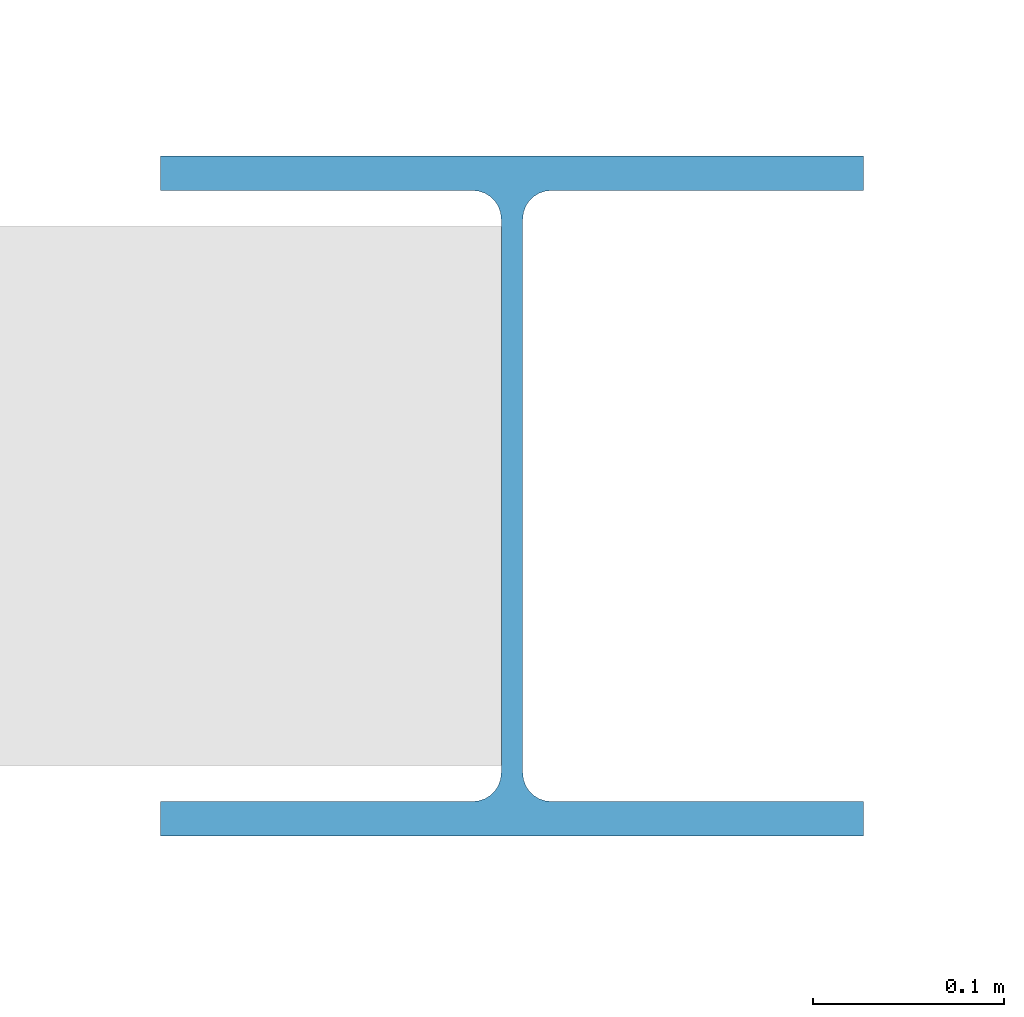
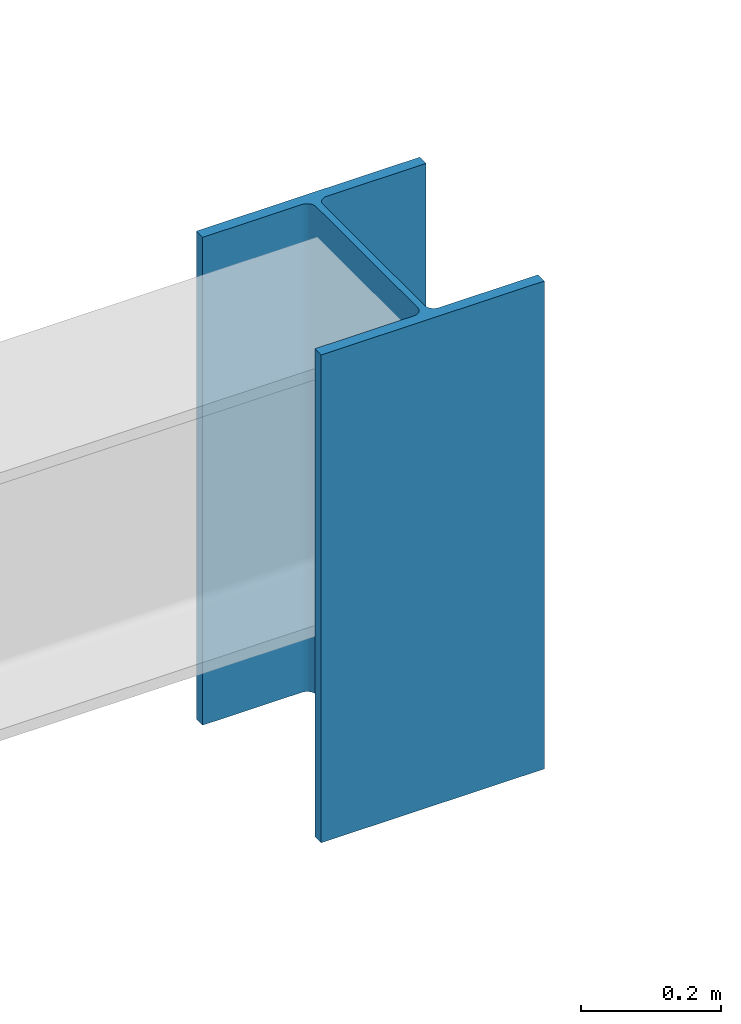
# One storey, part 8 of 30: 1 column.
"""IFC4 building model written with IfcOpenShell, lengths in metres."""

from ifc_helpers import new_model, si_unit, direction, frame, origin, origin_2d, place, context, subcontext, project, spatial, i_section, extrude, material, material_profile, profile_set, type_object, element, save


model = new_model("IFC4")

# Units and contexts
model_context = context("Model", 3, precision=1e-05, world=origin(), true_north=direction((0.0, 1.0)))
body_context = subcontext(model_context, "Body", "Model", "MODEL_VIEW")
ifc_project = project(units=[si_unit("LENGTHUNIT", "METRE"), si_unit("AREAUNIT", "SQUARE_METRE"), si_unit("VOLUMEUNIT", "CUBIC_METRE"), si_unit("PLANEANGLEUNIT", "RADIAN"), si_unit("MASSUNIT", "GRAM", prefix="KILO")], contexts=[model_context])

# Site, building, storey
site_placement = place(None, origin())
site = spatial("IfcSite", under=ifc_project, at=site_placement, CompositionType="ELEMENT")
building_placement = place(site_placement, origin())
building = spatial("IfcBuilding", under=site, at=building_placement, Name="Trimount Lyric Opera House", CompositionType="ELEMENT")
storey_placement = place(building_placement, frame((0.0, 0.0, 24.800048828125)))
storey = spatial("IfcBuildingStorey", under=building, at=storey_placement, Name="L05", CompositionType="ELEMENT", Elevation=24.800048828125)

# Column
ifc_material = material(Name="Steel ASTM A992 Grade 50", Category="steel")
ifc_material_profile = material_profile(ifc_material, i_section(OverallWidth=0.367919921875, OverallDepth=0.35595703125, WebThickness=0.01123046875, FlangeThickness=0.01806640625, FilletRadius=0.014892578125, at=origin_2d()), Name="W14X90")
ifc_profile_set = profile_set([ifc_material_profile], Name="Steel ASTM A992 Grade 50")
column_type = type_object("IfcColumnType", Name="C-05", PredefinedType="COLUMN", material=ifc_profile_set)
column_placement = place(storey_placement, frame((64.260009765625, 35.0, 0.0), z_axis=(0.0, 0.0, 1.0), x_axis=(1.0, 0.0, 0.0)))
element("IfcColumn", 1, at=column_placement, inside=storey, type_object=column_type, Name="L05 crystal roof column 64/35", PredefinedType="COLUMN", context=body_context, shape_type="SweptSolid", body=[
    extrude(i_section(OverallWidth=0.367919921875, OverallDepth=0.35595703125, WebThickness=0.01123046875, FlangeThickness=0.01806640625, FilletRadius=0.014892578125, at=origin_2d()), origin(), (0.0, 0.0, 1.0), 0.849853515625),
])

save(model, "model.ifc")
